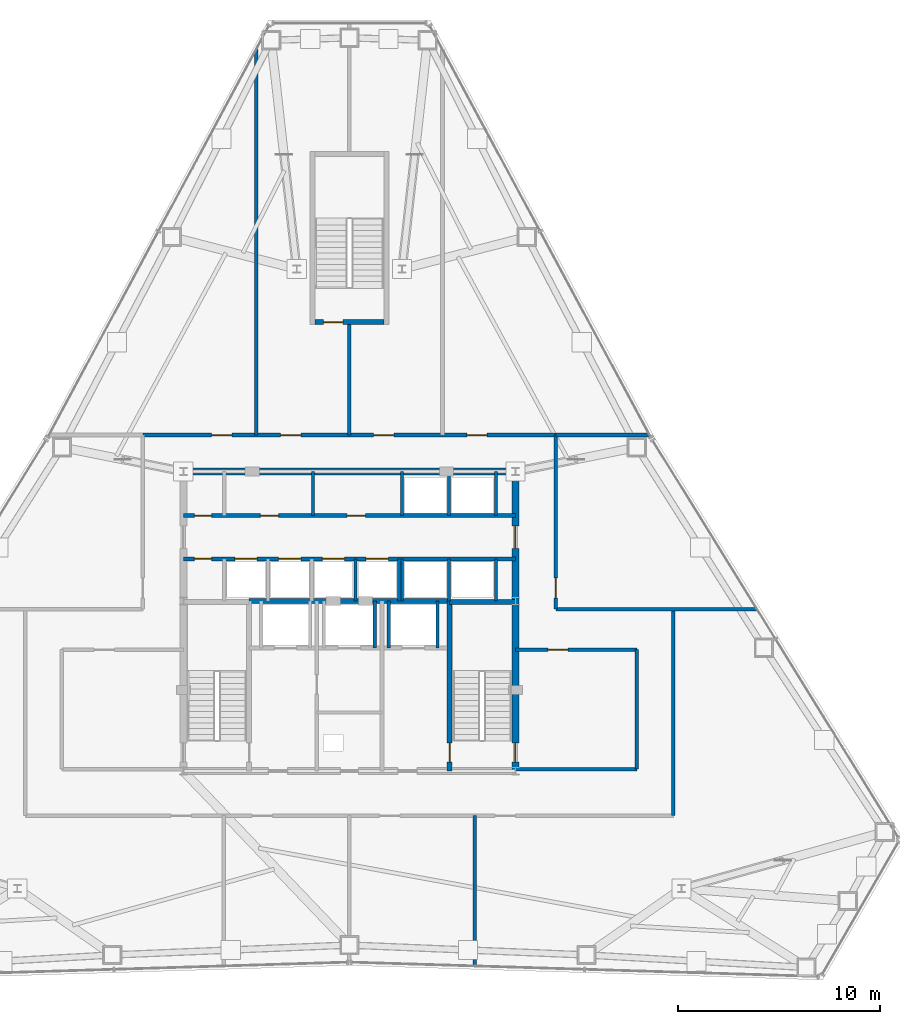
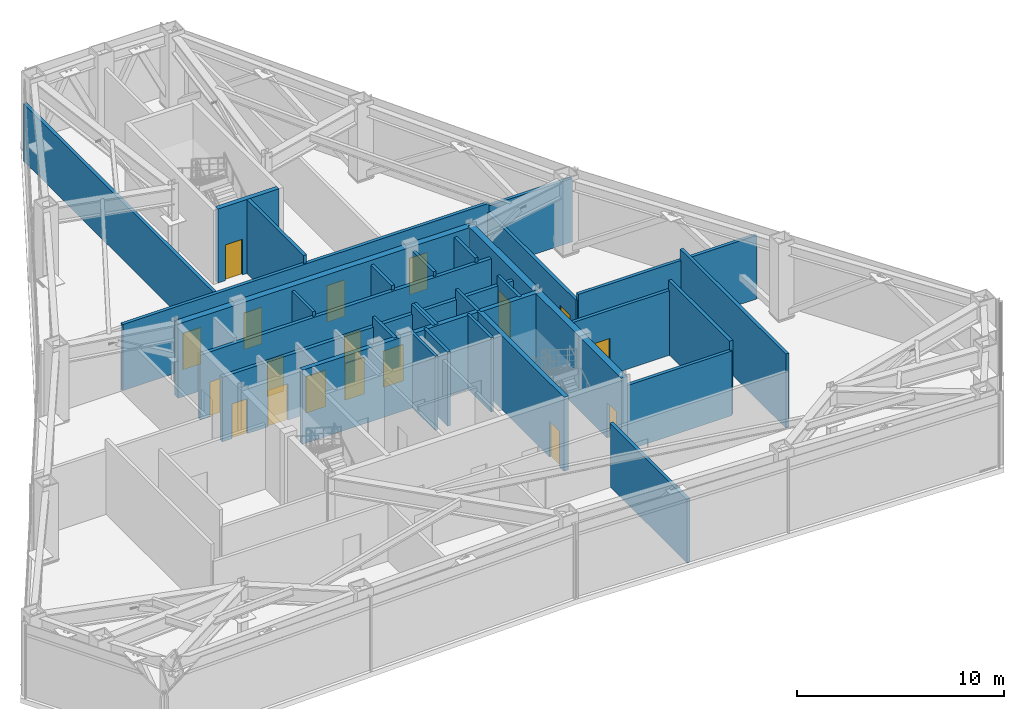
# One storey, part 10 of 12: 31 walls, 18 doors, 18 openings.
"""IFC4 building model written with IfcOpenShell, lengths in metres."""

from ifc_helpers import new_model, si_unit, direction, frame, frame_2d, origin, place, context, subcontext, project, spatial, rectangle, extrude, material, layer, layer_set, type_object, element, fill, save


model = new_model("IFC4")

# Units and contexts
model_context = context("Model", 3, precision=1e-05, world=origin(), true_north=direction((0.0, 1.0)))
body_context = subcontext(model_context, "Body", "Model", "MODEL_VIEW")
ifc_project = project(units=[si_unit("LENGTHUNIT", "METRE"), si_unit("AREAUNIT", "SQUARE_METRE"), si_unit("VOLUMEUNIT", "CUBIC_METRE"), si_unit("PLANEANGLEUNIT", "RADIAN"), si_unit("MASSUNIT", "GRAM", prefix="KILO")], contexts=[model_context])

# Site, building, storey
site_placement = place(None, origin())
site = spatial("IfcSite", under=ifc_project, at=site_placement, CompositionType="ELEMENT")
building_placement = place(site_placement, origin())
building = spatial("IfcBuilding", under=site, at=building_placement, Name="Varakhsha Concourse Tower", CompositionType="ELEMENT")
storey_placement = place(building_placement, frame((0.0, 0.0, 157.39990234375)))
storey = spatial("IfcBuildingStorey", under=building, at=storey_placement, Name="L45", CompositionType="ELEMENT", Elevation=157.39990234375)

# Wall
ifc_material_1 = material(Name="Concrete fc 65 MPa", Category="concrete")
ifc_layer_1 = layer(ifc_material_1, 0.35009765625, Name="WL-CORE-350")
ifc_layer_set_1 = layer_set([ifc_layer_1], Name="Concrete fc 65 MPa")
wall_type_1 = type_object("IfcWallType", Name="WL-CORE-350", PredefinedType="SHEAR", material=ifc_layer_set_1)
wall_1_placement = place(storey_placement, frame((31.800048828125, 31.199951171875, 0.0), z_axis=(0.0, 0.0, 1.0), x_axis=(1.0, 0.0, 0.0)))
element("IfcWall", 1, at=wall_1_placement, inside=storey, type_object=wall_type_1, Name="L45 Wall CWALL-N-L45", PredefinedType="SHEAR", context=body_context, shape_type="SweptSolid", body=[
    extrude(rectangle(XDim=16.39990234375, YDim=0.35009765625, at=frame_2d((8.199951171875, 0.0))), origin(), (0.0, 0.0, 1.0), 4.360107421875),
])

# Wall, openings, doors
wall_2_placement = place(storey_placement, frame((48.199951171875, 16.39990234375, 0.0), z_axis=(0.0, 0.0, 1.0), x_axis=(0.0, 1.0, 0.0)))
wall_2 = element("IfcWall", 2, at=wall_2_placement, inside=storey, type_object=wall_type_1, Name="L45 Wall CWALL-E-L45", PredefinedType="SHEAR", context=body_context, shape_type="SweptSolid", body=[
    extrude(rectangle(XDim=14.800048828125, YDim=0.35009765625, at=frame_2d((7.39990234375, 0.0))), origin(), (0.0, 0.0, 1.0), 4.360107421875),
])
opening_1_placement = place(wall_2_placement, frame((11.0, 0.0, 0.0)))
opening_1 = element("IfcOpeningElement", 3, at=opening_1_placement, cuts=wall_2, Name="Opening DL-01", PredefinedType="OPENING", context=body_context, shape_type="SweptSolid", body=[
    extrude(rectangle(XDim=1.10009765625, YDim=2.14990234375, at=frame_2d((0.550048828125, 1.074951171875))), frame((0.0, 0.18505859375, 0.0), z_axis=(0.0, -1.0, 0.0), x_axis=(1.0, 0.0, 0.0)), (0.0, 0.0, 1.0), 0.3701171875),
])
opening_2_placement = place(wall_2_placement, frame((0.449951171875, 0.0, 0.0)))
opening_2 = element("IfcOpeningElement", 4, at=opening_2_placement, cuts=wall_2, Name="Opening DF-03", PredefinedType="OPENING", context=body_context, shape_type="SweptSolid", body=[
    extrude(rectangle(XDim=0.949951171875, YDim=2.10009765625, at=frame_2d((0.47509765625, 1.050048828125))), frame((0.0, 0.18505859375, 0.0), z_axis=(0.0, -1.0, 0.0), x_axis=(1.0, 0.0, 0.0)), (0.0, 0.0, 1.0), 0.3701171875),
])
ifc_material_2 = material(Name="Hollow Galvanised Steel Fire Door Assembly", Category="steel")
door_type_1 = type_object("IfcDoorType", Name="DR-FD90-950", OperationType="NOTDEFINED", PredefinedType="DOOR", material=ifc_material_2)
door_1_placement = place(opening_2_placement, origin())
door_1 = element("IfcDoor", 5, at=door_1_placement, inside=storey, type_object=door_type_1, Name="L45 Area of Refuge East Stair ST2 Door", OperationType="SINGLE_SWING_RIGHT", OverallHeight=2.10009765625, OverallWidth=0.949951171875, PredefinedType="DOOR", context=body_context, shape_type="SweptSolid", body=[
    extrude(rectangle(XDim=0.949951171875, YDim=2.10009765625, at=frame_2d((0.47509765625, 1.050048828125))), frame((0.0, 0.02490234375, 0.0), z_axis=(0.0, -1.0, 0.0), x_axis=(1.0, 0.0, 0.0)), (0.0, 0.0, 1.0), 0.050048828125),
])
fill(opening_2, door_1)
ifc_material_3 = material(Name="Anodised Bronze Architectural Aluminium AA 6063-T6", Category="aluminium")
door_type_2 = type_object("IfcDoorType", Name="DR-LOB-1100", OperationType="NOTDEFINED", PredefinedType="DOOR", material=ifc_material_3)
door_2_placement = place(opening_1_placement, origin())
door_2 = element("IfcDoor", 6, at=door_2_placement, inside=storey, type_object=door_type_2, Name="L45 Lift Lobby East Concourse Door", OperationType="SINGLE_SWING_RIGHT", OverallHeight=2.14990234375, OverallWidth=1.10009765625, PredefinedType="DOOR", context=body_context, shape_type="SweptSolid", body=[
    extrude(rectangle(XDim=1.10009765625, YDim=2.14990234375, at=frame_2d((0.550048828125, 1.074951171875))), frame((0.0, 0.02490234375, 0.0), z_axis=(0.0, -1.0, 0.0), x_axis=(1.0, 0.0, 0.0)), (0.0, 0.0, 1.0), 0.050048828125),
])
fill(opening_1, door_2)

# Wall
ifc_material_4 = material(Name="Fire-Rated Type X Gypsum Partition Assembly", Category="gypsum")
ifc_layer_2 = layer(ifc_material_4, 0.14990234375, Name="WL-PART-150")
ifc_layer_set_2 = layer_set([ifc_layer_2], Name="Fire-Rated Type X Gypsum Partition Assembly")
wall_type_2 = type_object("IfcWallType", Name="WL-PART-150", PredefinedType="PARTITIONING", material=ifc_layer_set_2)
wall_3_placement = place(storey_placement, frame((38.199951171875, 29.02001953125, 0.0), z_axis=(0.0, 0.0, 1.0), x_axis=(0.0, 1.0, 0.0)))
element("IfcWall", 7, at=wall_3_placement, inside=storey, type_object=wall_type_2, Name="L45 Wall P1F-D1-L45", PredefinedType="PARTITIONING", context=body_context, shape_type="SweptSolid", body=[
    extrude(rectangle(XDim=2.179931640625, YDim=0.14990234375, at=frame_2d((1.08984375, 0.0))), origin(), (0.0, 0.0, 1.0), 4.088134765625),
])

# Wall, openings, doors
ifc_layer_3 = layer(ifc_material_4, 0.179931640625, Name="WL-PART-180")
ifc_layer_set_3 = layer_set([ifc_layer_3], Name="Fire-Rated Type X Gypsum Partition Assembly")
wall_type_3 = type_object("IfcWallType", Name="WL-PART-180", PredefinedType="PARTITIONING", material=ifc_layer_set_3)
wall_4_placement = place(storey_placement, frame((29.800048828125, 33.0, 0.0), z_axis=(0.0, 0.0, 1.0), x_axis=(1.0, 0.0, 0.0)))
wall_4 = element("IfcWall", 8, at=wall_4_placement, inside=storey, type_object=wall_type_3, Name="L45 Wall PCW-N-L45", PredefinedType="PARTITIONING", context=body_context, shape_type="SweptSolid", body=[
    extrude(rectangle(XDim=20.39990234375, YDim=0.179931640625, at=frame_2d((10.199951171875, 0.0))), origin(), (0.0, 0.0, 1.0), 3.89306640625),
])
opening_3_placement = place(wall_4_placement, frame((3.39990234375, 0.0, 0.0)))
opening_3 = element("IfcOpeningElement", 9, at=opening_3_placement, cuts=wall_4, Name="Opening DF-04", PredefinedType="OPENING", context=body_context, shape_type="SweptSolid", body=[
    extrude(rectangle(XDim=1.0, YDim=2.14990234375, at=frame_2d((0.5, 1.074951171875))), frame((0.0, 0.099853515625, 0.0), z_axis=(0.0, -1.0, 0.0), x_axis=(1.0, 0.0, 0.0)), (0.0, 0.0, 1.0), 0.199951171875),
])
opening_4_placement = place(wall_4_placement, frame((6.800048828125, 0.0, 0.0)))
opening_4 = element("IfcOpeningElement", 10, at=opening_4_placement, cuts=wall_4, Name="Opening DF-04", PredefinedType="OPENING", context=body_context, shape_type="SweptSolid", body=[
    extrude(rectangle(XDim=1.0, YDim=2.14990234375, at=frame_2d((0.5, 1.074951171875))), frame((0.0, 0.099853515625, 0.0), z_axis=(0.0, -1.0, 0.0), x_axis=(1.0, 0.0, 0.0)), (0.0, 0.0, 1.0), 0.199951171875),
])
opening_5_placement = place(wall_4_placement, frame((11.39990234375, 0.0, 0.0)))
opening_5 = element("IfcOpeningElement", 11, at=opening_5_placement, cuts=wall_4, Name="Opening DF-04", PredefinedType="OPENING", context=body_context, shape_type="SweptSolid", body=[
    extrude(rectangle(XDim=1.0, YDim=2.14990234375, at=frame_2d((0.5, 1.074951171875))), frame((0.0, 0.099853515625, 0.0), z_axis=(0.0, -1.0, 0.0), x_axis=(1.0, 0.0, 0.0)), (0.0, 0.0, 1.0), 0.199951171875),
])
opening_6_placement = place(wall_4_placement, frame((16.0, 0.0, 0.0)))
opening_6 = element("IfcOpeningElement", 12, at=opening_6_placement, cuts=wall_4, Name="Opening DF-04", PredefinedType="OPENING", context=body_context, shape_type="SweptSolid", body=[
    extrude(rectangle(XDim=1.0, YDim=2.14990234375, at=frame_2d((0.5, 1.074951171875))), frame((0.0, 0.099853515625, 0.0), z_axis=(0.0, -1.0, 0.0), x_axis=(1.0, 0.0, 0.0)), (0.0, 0.0, 1.0), 0.199951171875),
])
door_type_3 = type_object("IfcDoorType", Name="DR-FD60-1000", OperationType="NOTDEFINED", PredefinedType="DOOR", material=ifc_material_2)
door_3_placement = place(opening_3_placement, origin())
door_3 = element("IfcDoor", 13, at=door_3_placement, inside=storey, type_object=door_type_3, Name="L45 West Zonal HV Switchgear Plant Room Door", OperationType="SINGLE_SWING_LEFT", OverallHeight=2.14990234375, OverallWidth=1.0, PredefinedType="DOOR", context=body_context, shape_type="SweptSolid", body=[
    extrude(rectangle(XDim=1.0, YDim=2.14990234375, at=frame_2d((0.5, 1.074951171875))), frame((0.0, 0.02490234375, 0.0), z_axis=(0.0, -1.0, 0.0), x_axis=(1.0, 0.0, 0.0)), (0.0, 0.0, 1.0), 0.050048828125),
])
fill(opening_3, door_3)
door_4_placement = place(opening_4_placement, origin())
door_4 = element("IfcDoor", 14, at=door_4_placement, inside=storey, type_object=door_type_3, Name="L45 Step-Down Transformer Mechanical Plant Room Door", OperationType="SINGLE_SWING_LEFT", OverallHeight=2.14990234375, OverallWidth=1.0, PredefinedType="DOOR", context=body_context, shape_type="SweptSolid", body=[
    extrude(rectangle(XDim=1.0, YDim=2.14990234375, at=frame_2d((0.5, 1.074951171875))), frame((0.0, 0.02490234375, 0.0), z_axis=(0.0, -1.0, 0.0), x_axis=(1.0, 0.0, 0.0)), (0.0, 0.0, 1.0), 0.050048828125),
])
fill(opening_4, door_4)
door_5_placement = place(opening_5_placement, origin())
door_5 = element("IfcDoor", 15, at=door_5_placement, inside=storey, type_object=door_type_3, Name="L45 UPS Battery Inverter Mechanical Plant Room Door", OperationType="SINGLE_SWING_LEFT", OverallHeight=2.14990234375, OverallWidth=1.0, PredefinedType="DOOR", context=body_context, shape_type="SweptSolid", body=[
    extrude(rectangle(XDim=1.0, YDim=2.14990234375, at=frame_2d((0.5, 1.074951171875))), frame((0.0, 0.02490234375, 0.0), z_axis=(0.0, -1.0, 0.0), x_axis=(1.0, 0.0, 0.0)), (0.0, 0.0, 1.0), 0.050048828125),
])
fill(opening_5, door_5)
door_6_placement = place(opening_6_placement, origin())
door_6 = element("IfcDoor", 16, at=door_6_placement, inside=storey, type_object=door_type_3, Name="L45 Emergency Generator Control Plant Room Door", OperationType="SINGLE_SWING_LEFT", OverallHeight=2.14990234375, OverallWidth=1.0, PredefinedType="DOOR", context=body_context, shape_type="SweptSolid", body=[
    extrude(rectangle(XDim=1.0, YDim=2.14990234375, at=frame_2d((0.5, 1.074951171875))), frame((0.0, 0.02490234375, 0.0), z_axis=(0.0, -1.0, 0.0), x_axis=(1.0, 0.0, 0.0)), (0.0, 0.0, 1.0), 0.050048828125),
])
fill(opening_6, door_6)

# Wall, opening, door
wall_5_placement = place(storey_placement, frame((50.199951171875, 24.39990234375, 0.0), z_axis=(0.0, 0.0, 1.0), x_axis=(0.0, 1.0, 0.0)))
wall_5 = element("IfcWall", 17, at=wall_5_placement, inside=storey, type_object=wall_type_3, Name="L45 Wall PCW-EE-L45", PredefinedType="PARTITIONING", context=body_context, shape_type="SweptSolid", body=[
    extrude(rectangle(XDim=8.60009765625, YDim=0.179931640625, at=frame_2d((4.300048828125, 0.0))), origin(), (0.0, 0.0, 1.0), 3.375),
])
opening_7_placement = place(wall_5_placement, frame((0.550048828125, 0.0, 0.0)))
opening_7 = element("IfcOpeningElement", 18, at=opening_7_placement, cuts=wall_5, Name="Opening DF-04", PredefinedType="OPENING", context=body_context, shape_type="SweptSolid", body=[
    extrude(rectangle(XDim=1.0, YDim=2.14990234375, at=frame_2d((0.5, 1.074951171875))), frame((0.0, 0.099853515625, 0.0), z_axis=(0.0, -1.0, 0.0), x_axis=(1.0, 0.0, 0.0)), (0.0, 0.0, 1.0), 0.199951171875),
])
door_7_placement = place(opening_7_placement, origin())
door_7 = element("IfcDoor", 19, at=door_7_placement, inside=storey, type_object=door_type_3, Name="L45 East Booster and Fire Standpipe Pump Plant Room Door", OperationType="SINGLE_SWING_LEFT", OverallHeight=2.14990234375, OverallWidth=1.0, PredefinedType="DOOR", context=body_context, shape_type="SweptSolid", body=[
    extrude(rectangle(XDim=1.0, YDim=2.14990234375, at=frame_2d((0.5, 1.074951171875))), frame((0.0, 0.02490234375, 0.0), z_axis=(0.0, -1.0, 0.0), x_axis=(1.0, 0.0, 0.0)), (0.0, 0.0, 1.0), 0.050048828125),
])
fill(opening_7, door_7)

# Walls
wall_6_placement = place(storey_placement, frame((56.0, 14.199951171875, 0.0), z_axis=(0.0, 0.0, 1.0), x_axis=(0.0, 1.0, 0.0)))
element("IfcWall", 20, at=wall_6_placement, inside=storey, type_object=wall_type_3, Name="L45 Wall PCW-ES-L45", PredefinedType="PARTITIONING", context=body_context, shape_type="SweptSolid", body=[
    extrude(rectangle(XDim=10.199951171875, YDim=0.179931640625, at=frame_2d((5.10009765625, 0.0))), origin(), (0.0, 0.0, 1.0), 4.360107421875),
])
wall_7_placement = place(storey_placement, frame((48.199951171875, 16.5, 0.0), z_axis=(0.0, 0.0, 1.0), x_axis=(1.0, 0.0, 0.0)))
element("IfcWall", 21, at=wall_7_placement, inside=storey, type_object=wall_type_3, Name="L45 Wall REFW-ES-L45", PredefinedType="PARTITIONING", context=body_context, shape_type="SweptSolid", body=[
    extrude(rectangle(XDim=6.0, YDim=0.179931640625, at=frame_2d((3.0, 0.0))), origin(), (0.0, 0.0, 1.0), 3.81103515625),
])

# Wall, opening, door
wall_8_placement = place(storey_placement, frame((48.199951171875, 22.39990234375, 0.0), z_axis=(0.0, 0.0, 1.0), x_axis=(1.0, 0.0, 0.0)))
wall_8 = element("IfcWall", 22, at=wall_8_placement, inside=storey, type_object=wall_type_3, Name="L45 Wall REFW-EN-L45", PredefinedType="PARTITIONING", context=body_context, shape_type="SweptSolid", body=[
    extrude(rectangle(XDim=6.0, YDim=0.179931640625, at=frame_2d((3.0, 0.0))), origin(), (0.0, 0.0, 1.0), 3.81103515625),
])
opening_8_placement = place(wall_8_placement, frame((1.60009765625, 0.0, 0.0)))
opening_8 = element("IfcOpeningElement", 23, at=opening_8_placement, cuts=wall_8, Name="Opening DF-04", PredefinedType="OPENING", context=body_context, shape_type="SweptSolid", body=[
    extrude(rectangle(XDim=1.0, YDim=2.14990234375, at=frame_2d((0.5, 1.074951171875))), frame((0.0, 0.099853515625, 0.0), z_axis=(0.0, -1.0, 0.0), x_axis=(1.0, 0.0, 0.0)), (0.0, 0.0, 1.0), 0.199951171875),
])
door_8_placement = place(opening_8_placement, origin())
door_8 = element("IfcDoor", 24, at=door_8_placement, inside=storey, type_object=door_type_3, Name="L45 Area of Refuge East Lobby Door", OperationType="SINGLE_SWING_RIGHT", OverallHeight=2.14990234375, OverallWidth=1.0, PredefinedType="DOOR", context=body_context, shape_type="SweptSolid", body=[
    extrude(rectangle(XDim=1.0, YDim=2.14990234375, at=frame_2d((0.5, 1.074951171875))), frame((0.0, 0.02490234375, 0.0), z_axis=(0.0, -1.0, 0.0), x_axis=(1.0, 0.0, 0.0)), (0.0, 0.0, 1.0), 0.050048828125),
])
fill(opening_8, door_8)

# Walls
wall_9_placement = place(storey_placement, frame((54.199951171875, 16.5, 0.0), z_axis=(0.0, 0.0, 1.0), x_axis=(0.0, 1.0, 0.0)))
element("IfcWall", 25, at=wall_9_placement, inside=storey, type_object=wall_type_3, Name="L45 Wall REFW-EE-L45", PredefinedType="PARTITIONING", context=body_context, shape_type="SweptSolid", body=[
    extrude(rectangle(XDim=5.89990234375, YDim=0.179931640625, at=frame_2d((2.949951171875, 0.0))), origin(), (0.0, 0.0, 1.0), 4.360107421875),
])
wall_10_placement = place(storey_placement, frame((50.199951171875, 24.39990234375, 0.0), z_axis=(0.0, 0.0, 1.0), x_axis=(1.0, 0.0, 0.0)))
element("IfcWall", 26, at=wall_10_placement, inside=storey, type_object=wall_type_3, Name="L45 Wall PDIV-ES-L45", PredefinedType="PARTITIONING", context=body_context, shape_type="SweptSolid", body=[
    extrude(rectangle(XDim=9.934326171875, YDim=0.179931640625, at=frame_2d((4.96728515625, 0.0))), origin(), (0.0, 0.0, 1.0), 3.739013671875),
])
wall_11_placement = place(storey_placement, frame((50.199951171875, 33.0, 0.0), z_axis=(0.0, 0.0, 1.0), x_axis=(1.0, 0.0, 0.0)))
element("IfcWall", 27, at=wall_11_placement, inside=storey, type_object=wall_type_3, Name="L45 Wall PDIV-EN-L45", PredefinedType="PARTITIONING", context=body_context, shape_type="SweptSolid", body=[
    extrude(rectangle(XDim=4.62744140625, YDim=0.179931640625, at=frame_2d((2.313720703125, 0.0))), origin(), (0.0, 0.0, 1.0), 3.739013671875),
])
wall_12_placement = place(storey_placement, frame((46.199951171875, 6.776123046875, 0.0), z_axis=(0.0, 0.0, 1.0), x_axis=(0.0, 1.0, 0.0)))
element("IfcWall", 28, at=wall_12_placement, inside=storey, type_object=wall_type_3, Name="L45 Wall PDIV-S3-L45", PredefinedType="PARTITIONING", context=body_context, shape_type="SweptSolid", body=[
    extrude(rectangle(XDim=7.423828125, YDim=0.179931640625, at=frame_2d((3.7119140625, 0.0))), origin(), (0.0, 0.0, 1.0), 3.739013671875),
])
wall_13_placement = place(storey_placement, frame((35.39990234375, 33.0, 0.0), z_axis=(0.0, 0.0, 1.0), x_axis=(0.0, 1.0, 0.0)))
element("IfcWall", 29, at=wall_13_placement, inside=storey, type_object=wall_type_3, Name="L45 Wall PDIV-N1-L45", PredefinedType="PARTITIONING", context=body_context, shape_type="SweptSolid", body=[
    extrude(rectangle(XDim=19.033203125, YDim=0.179931640625, at=frame_2d((9.5166015625, 0.0))), origin(), (0.0, 0.0, 1.0), 3.375),
])
wall_14_placement = place(storey_placement, frame((40.0, 33.0, 0.0), z_axis=(0.0, 0.0, 1.0), x_axis=(0.0, 1.0, 0.0)))
element("IfcWall", 30, at=wall_14_placement, inside=storey, type_object=wall_type_3, Name="L45 Wall PDIV-N2-L45", PredefinedType="PARTITIONING", context=body_context, shape_type="SweptSolid", body=[
    extrude(rectangle(XDim=5.449951171875, YDim=0.179931640625, at=frame_2d((2.72509765625, 0.0))), origin(), (0.0, 0.0, 1.0), 4.360107421875),
])
ifc_layer_4 = layer(ifc_material_4, 0.199951171875, Name="WL-SHAFT-220")
ifc_layer_set_4 = layer_set([ifc_layer_4], Name="Fire-Rated Type X Gypsum Partition Assembly")
wall_type_4 = type_object("IfcWallType", Name="WL-SHAFT-220", PredefinedType="SOLIDWALL", material=ifc_layer_set_4)
for number, where, z_axis, x_axis, name in (
    (31, (41.949951171875, 22.47998046875, 0.0), (0.0, 0.0, 1.0), (0.0, 1.0, 0.0), "L45 Wall SHW-FFL-2-W-L45"),
    (32, (44.35009765625, 22.47998046875, 0.0), (0.0, 0.0, 1.0), (0.0, 1.0, 0.0), "L45 Wall SHW-FFL-2-E-L45"),
    (33, (41.25, 22.47998046875, 0.0), (0.0, 0.0, 1.0), (0.0, 1.0, 0.0), "L45 Wall SHW-SVL-1-E-L45"),
):
    element("IfcWall", number, at=place(storey_placement, frame(where, z_axis=z_axis, x_axis=x_axis)), inside=storey, type_object=wall_type_4, Name=name, PredefinedType="SOLIDWALL", context=body_context, shape_type="SweptSolid", body=[
        extrude(rectangle(XDim=2.320068359375, YDim=0.159912109375, at=frame_2d((1.16015625, 0.0))), origin(), (0.0, 0.0, 1.0), 4.360107421875),
    ])

# Wall, openings, doors
wall_15_placement = place(storey_placement, frame((31.800048828125, 29.02001953125, 0.0), z_axis=(0.0, 0.0, 1.0), x_axis=(1.0, 0.0, 0.0)))
wall_15 = element("IfcWall", 34, at=wall_15_placement, inside=storey, type_object=wall_type_4, Name="L45 Wall PLW-N-L45", PredefinedType="SOLIDWALL", context=body_context, shape_type="SweptSolid", body=[
    extrude(rectangle(XDim=16.39990234375, YDim=0.199951171875, at=frame_2d((8.199951171875, 0.0))), origin(), (0.0, 0.0, 1.0), 3.81103515625),
])
opening_9_placement = place(wall_15_placement, frame((0.550048828125, 0.0, 0.0)))
opening_9 = element("IfcOpeningElement", 35, at=opening_9_placement, cuts=wall_15, Name="Opening DF-07", PredefinedType="OPENING", context=body_context, shape_type="SweptSolid", body=[
    extrude(rectangle(XDim=0.85009765625, YDim=2.050048828125, at=frame_2d((0.425048828125, 1.02490234375))), frame((0.0, 0.10986328125, 0.0), z_axis=(0.0, -1.0, 0.0), x_axis=(1.0, 0.0, 0.0)), (0.0, 0.0, 1.0), 0.219970703125),
])
opening_10_placement = place(wall_15_placement, frame((3.800048828125, 0.0, 0.0)))
opening_10 = element("IfcOpeningElement", 36, at=opening_10_placement, cuts=wall_15, Name="Opening DF-06", PredefinedType="OPENING", context=body_context, shape_type="SweptSolid", body=[
    extrude(rectangle(XDim=0.89990234375, YDim=2.10009765625, at=frame_2d((0.449951171875, 1.050048828125))), frame((0.0, 0.10986328125, 0.0), z_axis=(0.0, -1.0, 0.0), x_axis=(1.0, 0.0, 0.0)), (0.0, 0.0, 1.0), 0.219970703125),
])
opening_11_placement = place(wall_15_placement, frame((8.090087890625, 0.0, 0.0)))
opening_11 = element("IfcOpeningElement", 37, at=opening_11_placement, cuts=wall_15, Name="Opening DF-06", PredefinedType="OPENING", context=body_context, shape_type="SweptSolid", body=[
    extrude(rectangle(XDim=0.89990234375, YDim=2.10009765625, at=frame_2d((0.449951171875, 1.050048828125))), frame((0.0, 0.10986328125, 0.0), z_axis=(0.0, -1.0, 0.0), x_axis=(1.0, 0.0, 0.0)), (0.0, 0.0, 1.0), 0.219970703125),
])
door_type_4 = type_object("IfcDoorType", Name="DR-FD60-850", OperationType="NOTDEFINED", PredefinedType="DOOR", material=ifc_material_2)
door_9_placement = place(opening_9_placement, origin())
door_9 = element("IfcDoor", 38, at=door_9_placement, inside=storey, type_object=door_type_4, Name="L45 Core Janitor Closet Door", OperationType="SINGLE_SWING_LEFT", OverallHeight=2.050048828125, OverallWidth=0.85009765625, PredefinedType="DOOR", context=body_context, shape_type="SweptSolid", body=[
    extrude(rectangle(XDim=0.85009765625, YDim=2.050048828125, at=frame_2d((0.425048828125, 1.02490234375))), frame((0.0, 0.02490234375, 0.0), z_axis=(0.0, -1.0, 0.0), x_axis=(1.0, 0.0, 0.0)), (0.0, 0.0, 1.0), 0.050048828125),
])
fill(opening_9, door_9)
door_type_5 = type_object("IfcDoorType", Name="DR-FD60-900", OperationType="NOTDEFINED", PredefinedType="DOOR", material=ifc_material_2)
door_10_placement = place(opening_10_placement, origin())
door_10 = element("IfcDoor", 39, at=door_10_placement, inside=storey, type_object=door_type_5, Name="L45 Tenant Archive and IT Server Room Door", OperationType="SINGLE_SWING_LEFT", OverallHeight=2.10009765625, OverallWidth=0.89990234375, PredefinedType="DOOR", context=body_context, shape_type="SweptSolid", body=[
    extrude(rectangle(XDim=0.89990234375, YDim=2.10009765625, at=frame_2d((0.449951171875, 1.050048828125))), frame((0.0, 0.02490234375, 0.0), z_axis=(0.0, -1.0, 0.0), x_axis=(1.0, 0.0, 0.0)), (0.0, 0.0, 1.0), 0.050048828125),
])
fill(opening_10, door_10)
door_11_placement = place(opening_11_placement, origin())
door_11 = element("IfcDoor", 40, at=door_11_placement, inside=storey, type_object=door_type_5, Name="L45 Core Facility Closet N1 Door", OperationType="SINGLE_SWING_RIGHT", OverallHeight=2.10009765625, OverallWidth=0.89990234375, PredefinedType="DOOR", context=body_context, shape_type="SweptSolid", body=[
    extrude(rectangle(XDim=0.89990234375, YDim=2.10009765625, at=frame_2d((0.449951171875, 1.050048828125))), frame((0.0, 0.02490234375, 0.0), z_axis=(0.0, -1.0, 0.0), x_axis=(1.0, 0.0, 0.0)), (0.0, 0.0, 1.0), 0.050048828125),
])
fill(opening_11, door_11)

wall_16_placement = place(storey_placement, frame((31.800048828125, 26.8798828125, 0.0), z_axis=(0.0, 0.0, 1.0), x_axis=(1.0, 0.0, 0.0)))
wall_16 = element("IfcWall", 41, at=wall_16_placement, inside=storey, type_object=wall_type_4, Name="L45 Wall PLW-S-L45", PredefinedType="SOLIDWALL", context=body_context, shape_type="SweptSolid", body=[
    extrude(rectangle(XDim=16.39990234375, YDim=0.199951171875, at=frame_2d((8.199951171875, 0.0))), origin(), (0.0, 0.0, 1.0), 3.81103515625),
])
opening_12_placement = place(wall_16_placement, frame((0.550048828125, 0.0, 0.0)))
opening_12 = element("IfcOpeningElement", 42, at=opening_12_placement, cuts=wall_16, Name="Opening DF-07", PredefinedType="OPENING", context=body_context, shape_type="SweptSolid", body=[
    extrude(rectangle(XDim=0.85009765625, YDim=2.050048828125, at=frame_2d((0.425048828125, 1.02490234375))), frame((0.0, 0.10986328125, 0.0), z_axis=(0.0, -1.0, 0.0), x_axis=(1.0, 0.0, 0.0)), (0.0, 0.0, 1.0), 0.219970703125),
])
opening_13_placement = place(wall_16_placement, frame((2.550048828125, 0.0, 0.0)))
opening_13 = element("IfcOpeningElement", 43, at=opening_13_placement, cuts=wall_16, Name="Opening LD-LF-P05", PredefinedType="OPENING", context=body_context, shape_type="SweptSolid", body=[
    extrude(rectangle(XDim=1.10009765625, YDim=2.14990234375, at=frame_2d((0.550048828125, 1.074951171875))), frame((0.0, 0.10986328125, 0.0), z_axis=(0.0, -1.0, 0.0), x_axis=(1.0, 0.0, 0.0)), (0.0, 0.0, 1.0), 0.219970703125),
])
opening_14_placement = place(wall_16_placement, frame((4.7099609375, 0.0, 0.0)))
opening_14 = element("IfcOpeningElement", 44, at=opening_14_placement, cuts=wall_16, Name="Opening LD-LF-P06", PredefinedType="OPENING", context=body_context, shape_type="SweptSolid", body=[
    extrude(rectangle(XDim=1.10009765625, YDim=2.14990234375, at=frame_2d((0.550048828125, 1.074951171875))), frame((0.0, 0.10986328125, 0.0), z_axis=(0.0, -1.0, 0.0), x_axis=(1.0, 0.0, 0.0)), (0.0, 0.0, 1.0), 0.219970703125),
])
opening_15_placement = place(wall_16_placement, frame((6.8701171875, 0.0, 0.0)))
opening_15 = element("IfcOpeningElement", 45, at=opening_15_placement, cuts=wall_16, Name="Opening LD-LF-P07", PredefinedType="OPENING", context=body_context, shape_type="SweptSolid", body=[
    extrude(rectangle(XDim=1.10009765625, YDim=2.14990234375, at=frame_2d((0.550048828125, 1.074951171875))), frame((0.0, 0.10986328125, 0.0), z_axis=(0.0, -1.0, 0.0), x_axis=(1.0, 0.0, 0.0)), (0.0, 0.0, 1.0), 0.219970703125),
])
opening_16_placement = place(wall_16_placement, frame((9.030029296875, 0.0, 0.0)))
opening_16 = element("IfcOpeningElement", 46, at=opening_16_placement, cuts=wall_16, Name="Opening LD-LF-P08", PredefinedType="OPENING", context=body_context, shape_type="SweptSolid", body=[
    extrude(rectangle(XDim=1.10009765625, YDim=2.14990234375, at=frame_2d((0.550048828125, 1.074951171875))), frame((0.0, 0.10986328125, 0.0), z_axis=(0.0, -1.0, 0.0), x_axis=(1.0, 0.0, 0.0)), (0.0, 0.0, 1.0), 0.219970703125),
])
door_12_placement = place(opening_12_placement, origin())
door_12 = element("IfcDoor", 47, at=door_12_placement, inside=storey, type_object=door_type_4, Name="L45 Core Telecoms Closet Door", OperationType="SINGLE_SWING_RIGHT", OverallHeight=2.050048828125, OverallWidth=0.85009765625, PredefinedType="DOOR", context=body_context, shape_type="SweptSolid", body=[
    extrude(rectangle(XDim=0.85009765625, YDim=2.050048828125, at=frame_2d((0.425048828125, 1.02490234375))), frame((0.0, 0.02490234375, 0.0), z_axis=(0.0, -1.0, 0.0), x_axis=(1.0, 0.0, 0.0)), (0.0, 0.0, 1.0), 0.050048828125),
])
fill(opening_12, door_12)
ifc_material_5 = material(Name="Brushed Austenitic Stainless Steel AISI 316", Category="steel")
door_type_6 = type_object("IfcDoorType", Name="DR-LD-1100", OperationType="DOUBLE_DOOR_SLIDING", PredefinedType="DOOR", material=ifc_material_5)
door_13_placement = place(opening_13_placement, origin())
door_13 = element("IfcDoor", 48, at=door_13_placement, inside=storey, type_object=door_type_6, Name="Lift Landing Door LF-P05 L45", OperationType="DOUBLE_DOOR_SLIDING", OverallHeight=2.14990234375, OverallWidth=1.10009765625, PredefinedType="DOOR", context=body_context, shape_type="SweptSolid", body=[
    extrude(rectangle(XDim=1.10009765625, YDim=2.14990234375, at=frame_2d((0.550048828125, 1.074951171875))), frame((0.0, 0.02490234375, 0.0), z_axis=(0.0, -1.0, 0.0), x_axis=(1.0, 0.0, 0.0)), (0.0, 0.0, 1.0), 0.050048828125),
])
fill(opening_13, door_13)
door_14_placement = place(opening_14_placement, origin())
door_14 = element("IfcDoor", 49, at=door_14_placement, inside=storey, type_object=door_type_6, Name="Lift Landing Door LF-P06 L45", OperationType="DOUBLE_DOOR_SLIDING", OverallHeight=2.14990234375, OverallWidth=1.10009765625, PredefinedType="DOOR", context=body_context, shape_type="SweptSolid", body=[
    extrude(rectangle(XDim=1.10009765625, YDim=2.14990234375, at=frame_2d((0.550048828125, 1.074951171875))), frame((0.0, 0.02490234375, 0.0), z_axis=(0.0, -1.0, 0.0), x_axis=(1.0, 0.0, 0.0)), (0.0, 0.0, 1.0), 0.050048828125),
])
fill(opening_14, door_14)
door_15_placement = place(opening_15_placement, origin())
door_15 = element("IfcDoor", 50, at=door_15_placement, inside=storey, type_object=door_type_6, Name="Lift Landing Door LF-P07 L45", OperationType="DOUBLE_DOOR_SLIDING", OverallHeight=2.14990234375, OverallWidth=1.10009765625, PredefinedType="DOOR", context=body_context, shape_type="SweptSolid", body=[
    extrude(rectangle(XDim=1.10009765625, YDim=2.14990234375, at=frame_2d((0.550048828125, 1.074951171875))), frame((0.0, 0.02490234375, 0.0), z_axis=(0.0, -1.0, 0.0), x_axis=(1.0, 0.0, 0.0)), (0.0, 0.0, 1.0), 0.050048828125),
])
fill(opening_15, door_15)
door_16_placement = place(opening_16_placement, origin())
door_16 = element("IfcDoor", 51, at=door_16_placement, inside=storey, type_object=door_type_6, Name="Lift Landing Door LF-P08 L45", OperationType="DOUBLE_DOOR_SLIDING", OverallHeight=2.14990234375, OverallWidth=1.10009765625, PredefinedType="DOOR", context=body_context, shape_type="SweptSolid", body=[
    extrude(rectangle(XDim=1.10009765625, YDim=2.14990234375, at=frame_2d((0.550048828125, 1.074951171875))), frame((0.0, 0.02490234375, 0.0), z_axis=(0.0, -1.0, 0.0), x_axis=(1.0, 0.0, 0.0)), (0.0, 0.0, 1.0), 0.050048828125),
])
fill(opening_16, door_16)

# Walls
for number, where, z_axis, x_axis, name in (
    (52, (40.300048828125, 24.800048828125, 0.0), (0.0, 0.0, 1.0), (0.0, 1.0, 0.0), "L45 Wall SHW-LF-P07-E-L45"),
    (53, (42.4599609375, 24.800048828125, 0.0), (0.0, 0.0, 1.0), (0.0, 1.0, 0.0), "L45 Wall SHW-LF-P08-E-L45"),
):
    element("IfcWall", number, at=place(storey_placement, frame(where, z_axis=z_axis, x_axis=x_axis)), inside=storey, type_object=wall_type_4, Name=name, PredefinedType="SOLIDWALL", context=body_context, shape_type="SweptSolid", body=[
        extrude(rectangle(XDim=2.079833984375, YDim=0.159912109375, at=frame_2d((1.0400390625, 0.0))), origin(), (0.0, 0.0, 1.0), 4.360107421875),
    ])
for number, where, z_axis, x_axis, name in (
    (54, (42.60009765625, 29.02001953125, 0.0), (0.0, 0.0, 1.0), (0.0, 1.0, 0.0), "L45 Wall SHW-LF-P09-W-L45"),
    (55, (44.919921875, 29.02001953125, 0.0), (0.0, 0.0, 1.0), (0.0, 1.0, 0.0), "L45 Wall SHW-LF-P09-E-L45"),
    (56, (47.239990234375, 29.02001953125, 0.0), (0.0, 0.0, 1.0), (0.0, 1.0, 0.0), "L45 Wall SHW-LF-P10-E-L45"),
):
    element("IfcWall", number, at=place(storey_placement, frame(where, z_axis=z_axis, x_axis=x_axis)), inside=storey, type_object=wall_type_4, Name=name, PredefinedType="SOLIDWALL", context=body_context, shape_type="SweptSolid", body=[
        extrude(rectangle(XDim=2.179931640625, YDim=0.159912109375, at=frame_2d((1.08984375, 0.0))), origin(), (0.0, 0.0, 1.0), 4.088134765625),
    ])
for number, where, z_axis, x_axis, name in (
    (57, (42.60009765625, 24.800048828125, 0.0), (0.0, 0.0, 1.0), (0.0, 1.0, 0.0), "L45 Wall SHW-LF-P11-W-L45"),
    (58, (44.919921875, 24.800048828125, 0.0), (0.0, 0.0, 1.0), (0.0, 1.0, 0.0), "L45 Wall SHW-LF-P11-E-L45"),
    (59, (47.239990234375, 24.800048828125, 0.0), (0.0, 0.0, 1.0), (0.0, 1.0, 0.0), "L45 Wall SHW-LF-P12-E-L45"),
):
    element("IfcWall", number, at=place(storey_placement, frame(where, z_axis=z_axis, x_axis=x_axis)), inside=storey, type_object=wall_type_4, Name=name, PredefinedType="SOLIDWALL", context=body_context, shape_type="SweptSolid", body=[
        extrude(rectangle(XDim=2.079833984375, YDim=0.159912109375, at=frame_2d((1.0400390625, 0.0))), origin(), (0.0, 0.0, 1.0), 4.360107421875),
    ])

# Wall, opening, door
ifc_material_6 = material(Name="Concrete fc 45 MPa", Category="concrete")
ifc_layer_5 = layer(ifc_material_6, 0.25, Name="WL-STAIR-250")
ifc_layer_set_5 = layer_set([ifc_layer_5], Name="Concrete fc 45 MPa")
wall_type_5 = type_object("IfcWallType", Name="WL-STAIR-250", PredefinedType="SHEAR", material=ifc_layer_set_5)
wall_17_placement = place(storey_placement, frame((44.955078125, 16.39990234375, 0.0), z_axis=(0.0, 0.0, 1.0), x_axis=(0.0, 1.0, 0.0)))
wall_17 = element("IfcWall", 60, at=wall_17_placement, inside=storey, type_object=wall_type_5, Name="L45 Wall SWALL-ST2-W-L45", PredefinedType="SHEAR", context=body_context, shape_type="SweptSolid", body=[
    extrude(rectangle(XDim=8.400146484375, YDim=0.25, at=frame_2d((4.2001953125, 0.0))), origin(), (0.0, 0.0, 1.0), 4.360107421875),
])
opening_17_placement = place(wall_17_placement, frame((0.449951171875, 0.0, 0.0)))
opening_17 = element("IfcOpeningElement", 61, at=opening_17_placement, cuts=wall_17, Name="Opening DF-03", PredefinedType="OPENING", context=body_context, shape_type="SweptSolid", body=[
    extrude(rectangle(XDim=0.949951171875, YDim=2.10009765625, at=frame_2d((0.47509765625, 1.050048828125))), frame((0.0, 0.135009765625, 0.0), z_axis=(0.0, -1.0, 0.0), x_axis=(1.0, 0.0, 0.0)), (0.0, 0.0, 1.0), 0.27001953125),
])
door_17_placement = place(opening_17_placement, origin())
door_17 = element("IfcDoor", 62, at=door_17_placement, inside=storey, type_object=door_type_1, Name="L45 Stair ST2 Fire Door", OperationType="SINGLE_SWING_RIGHT", OverallHeight=2.10009765625, OverallWidth=0.949951171875, PredefinedType="DOOR", context=body_context, shape_type="SweptSolid", body=[
    extrude(rectangle(XDim=0.949951171875, YDim=2.10009765625, at=frame_2d((0.47509765625, 1.050048828125))), frame((0.0, 0.02490234375, 0.0), z_axis=(0.0, -1.0, 0.0), x_axis=(1.0, 0.0, 0.0)), (0.0, 0.0, 1.0), 0.050048828125),
])
fill(opening_17, door_17)

# Walls
wall_18_placement = place(storey_placement, frame((44.955078125, 24.7548828125, 0.0), z_axis=(0.0, 0.0, 1.0), x_axis=(1.0, 0.0, 0.0)))
element("IfcWall", 63, at=wall_18_placement, inside=storey, type_object=wall_type_5, Name="L45 Wall SWALL-ST2-N-L45", PredefinedType="SHEAR", context=body_context, shape_type="SweptSolid", body=[
    extrude(rectangle(XDim=3.244873046875, YDim=0.25, at=frame_2d((1.62255859375, 0.0))), origin(), (0.0, 0.0, 1.0), 4.360107421875),
])
wall_19_placement = place(storey_placement, frame((35.044921875, 24.800048828125, 0.0), z_axis=(0.0, 0.0, 1.0), x_axis=(1.0, 0.0, 0.0)))
element("IfcWall", 64, at=wall_19_placement, inside=storey, type_object=wall_type_5, Name="L45 Wall SWALL-MID-H-L45", PredefinedType="SHEAR", context=body_context, shape_type="SweptSolid", body=[
    extrude(rectangle(XDim=9.91015625, YDim=0.25, at=frame_2d((4.955078125, 0.0))), origin(), (0.0, 0.0, 1.0), 4.360107421875),
])

# Wall, opening, door
wall_20_placement = place(storey_placement, frame((38.300048828125, 38.574951171875, 0.0), z_axis=(0.0, 0.0, 1.0), x_axis=(1.0, 0.0, 0.0)))
wall_20 = element("IfcWall", 65, at=wall_20_placement, inside=storey, type_object=wall_type_5, Name="L45 Wall SWALL-ST5-S-L45", PredefinedType="SHEAR", context=body_context, shape_type="SweptSolid", body=[
    extrude(rectangle(XDim=3.39990234375, YDim=0.25, at=frame_2d((1.699951171875, 0.0))), origin(), (0.0, 0.0, 1.0), 4.360107421875),
])
opening_18_placement = place(wall_20_placement, frame((0.425048828125, 0.0, 0.0)))
opening_18 = element("IfcOpeningElement", 66, at=opening_18_placement, cuts=wall_20, Name="Opening DF-03", PredefinedType="OPENING", context=body_context, shape_type="SweptSolid", body=[
    extrude(rectangle(XDim=0.949951171875, YDim=2.10009765625, at=frame_2d((0.47509765625, 1.050048828125))), frame((0.0, 0.135009765625, 0.0), z_axis=(0.0, -1.0, 0.0), x_axis=(1.0, 0.0, 0.0)), (0.0, 0.0, 1.0), 0.27001953125),
])
door_18_placement = place(opening_18_placement, origin())
door_18 = element("IfcDoor", 67, at=door_18_placement, inside=storey, type_object=door_type_1, Name="L45 Stair ST5 Fire Door", OperationType="SINGLE_SWING_RIGHT", OverallHeight=2.10009765625, OverallWidth=0.949951171875, PredefinedType="DOOR", context=body_context, shape_type="SweptSolid", body=[
    extrude(rectangle(XDim=0.949951171875, YDim=2.10009765625, at=frame_2d((0.47509765625, 1.050048828125))), frame((0.0, 0.02490234375, 0.0), z_axis=(0.0, -1.0, 0.0), x_axis=(1.0, 0.0, 0.0)), (0.0, 0.0, 1.0), 0.050048828125),
])
fill(opening_18, door_18)

save(model, "model.ifc")
